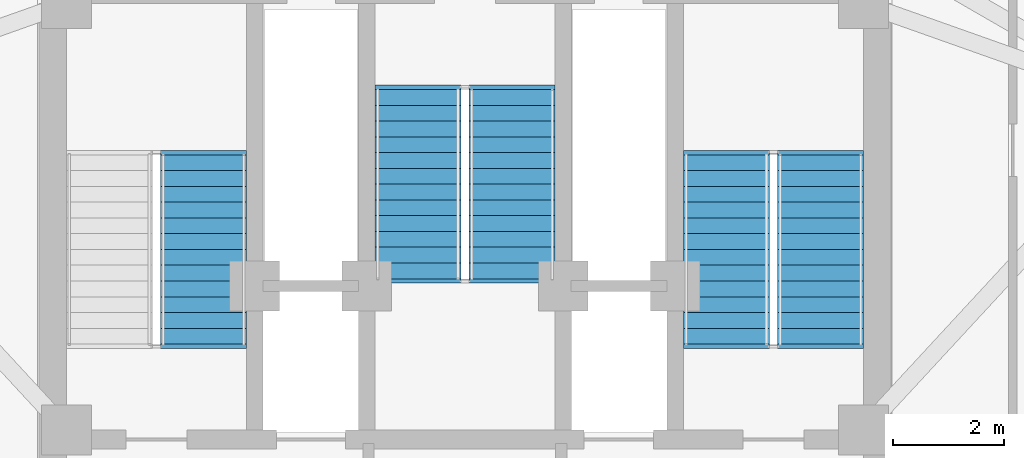
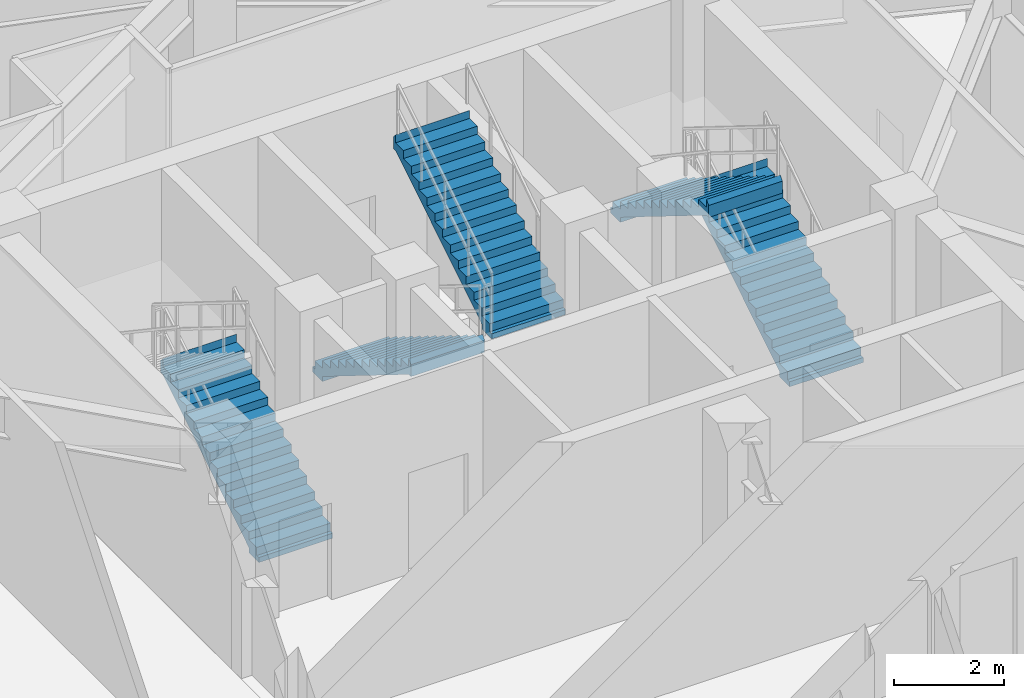
# One storey, part 12 of 15: 5 stair flights, 3 elements without a shape of their own.
"""IFC4 building model written with IfcOpenShell, lengths in metres."""

from ifc_helpers import new_model, si_unit, direction, frame, origin, place, context, subcontext, project, spatial, polyline, outline, extrude, material, type_object, element, aggregate, save


model = new_model("IFC4")

# Units and contexts
model_context = context("Model", 3, precision=1e-05, world=origin(), true_north=direction((0.0, 1.0)))
body_context = subcontext(model_context, "Body", "Model", "MODEL_VIEW")
ifc_project = project(units=[si_unit("LENGTHUNIT", "METRE"), si_unit("AREAUNIT", "SQUARE_METRE"), si_unit("VOLUMEUNIT", "CUBIC_METRE"), si_unit("PLANEANGLEUNIT", "RADIAN"), si_unit("MASSUNIT", "GRAM", prefix="KILO")], contexts=[model_context])

# Site, building, storey
site_placement = place(None, origin())
site = spatial("IfcSite", under=ifc_project, at=site_placement, CompositionType="ELEMENT")
building_placement = place(site_placement, origin())
building = spatial("IfcBuilding", under=site, at=building_placement, Name="Apsidion Concourse Tower", CompositionType="ELEMENT")
storey_placement = place(building_placement, frame((0.0, 0.0, 318.800048828125)))
storey = spatial("IfcBuildingStorey", under=building, at=storey_placement, Name="L75", CompositionType="ELEMENT", Elevation=318.800048828125)

# Stair, stair flight
ifc_material = material(Name="Precast concrete C40/50", Category="concrete")
stair_type = type_object("IfcStairType", Name="ST-DL-1550", PredefinedType="HALF_TURN_STAIR", material=ifc_material)
stair_1_placement = place(storey_placement, origin())
stair_1 = element("IfcStair", 1, at=stair_1_placement, inside=storey, type_object=stair_type, Name="L75 Protected Core Exit Stair ST1", PredefinedType="HALF_TURN_STAIR")
stair_flight_type = type_object("IfcStairFlightType", Name="SFL-RC-1550", PredefinedType="STRAIGHT", material=ifc_material)
stair_flight_1_placement = place(storey_placement, frame((-4.72509765625, 3.0, 0.0), z_axis=(0.0, 0.0, 1.0), x_axis=(0.0, 1.0, 0.0)))
stair_flight_1 = element("IfcStairFlight", 2, at=stair_flight_1_placement, type_object=stair_flight_type, Name="ST1 flight 1", NumberOfRisers=13, NumberOfTreads=12, PredefinedType="STRAIGHT", RiserHeight=0.176923077, TreadLength=0.285, context=body_context, shape_type="SweptSolid", body=[
    extrude(outline(polyline([(-0.080078125, -0.1123046875), (-0.080078125, 0.0), (0.0, 0.0), (0.0, 0.177001953125), (0.284912109375, 0.177001953125), (0.284912109375, 0.353759765625), (0.570068359375, 0.353759765625), (0.570068359375, 0.53076171875), (0.85498046875, 0.53076171875), (0.85498046875, 0.707763671875), (1.139892578125, 0.707763671875), (1.139892578125, 0.884521484375), (1.425048828125, 0.884521484375), (1.425048828125, 1.0615234375), (1.7099609375, 1.0615234375), (1.7099609375, 1.238525390625), (1.9951171875, 1.238525390625), (1.9951171875, 1.415283203125), (2.280029296875, 1.415283203125), (2.280029296875, 1.59228515625), (2.56494140625, 1.59228515625), (2.56494140625, 1.769287109375), (2.85009765625, 1.769287109375), (2.85009765625, 1.946044921875), (3.135009765625, 1.946044921875), (3.135009765625, 2.123046875), (3.419921875, 2.123046875), (3.419921875, 2.300048828125), (3.5, 2.21142578125), (3.5, 1.946533203125), (3.419921875, 1.946533203125), (0.2841796875, 0.0), (0.2841796875, -0.1123046875), (-0.080078125, -0.1123046875)])), frame((0.0, 0.77490234375, 0.0), z_axis=(0.0, -1.0, 0.0), x_axis=(1.0, 0.0, 0.0)), (0.0, 0.0, 1.0), 1.550048828125),
])
aggregate(stair_1, [stair_flight_1])

# Stair, stair flights
stair_2_placement = place(storey_placement, origin())
stair_2 = element("IfcStair", 3, at=stair_2_placement, inside=storey, type_object=stair_type, Name="L75 Protected Core Exit Stair ST2", PredefinedType="HALF_TURN_STAIR")
stair_flight_2_placement = place(storey_placement, frame((6.425048828125, 3.0, 0.0), z_axis=(0.0, 0.0, 1.0), x_axis=(0.0, 1.0, 0.0)))
stair_flight_2 = element("IfcStairFlight", 4, at=stair_flight_2_placement, type_object=stair_flight_type, Name="ST2 flight 1", NumberOfRisers=13, NumberOfTreads=12, PredefinedType="STRAIGHT", RiserHeight=0.176923077, TreadLength=0.285, context=body_context, shape_type="SweptSolid", body=[
    extrude(outline(polyline([(-0.080078125, -0.1123046875), (-0.080078125, 0.0), (0.0, 0.0), (0.0, 0.177001953125), (0.284912109375, 0.177001953125), (0.284912109375, 0.353759765625), (0.570068359375, 0.353759765625), (0.570068359375, 0.53076171875), (0.85498046875, 0.53076171875), (0.85498046875, 0.707763671875), (1.139892578125, 0.707763671875), (1.139892578125, 0.884521484375), (1.425048828125, 0.884521484375), (1.425048828125, 1.0615234375), (1.7099609375, 1.0615234375), (1.7099609375, 1.238525390625), (1.9951171875, 1.238525390625), (1.9951171875, 1.415283203125), (2.280029296875, 1.415283203125), (2.280029296875, 1.59228515625), (2.56494140625, 1.59228515625), (2.56494140625, 1.769287109375), (2.85009765625, 1.769287109375), (2.85009765625, 1.946044921875), (3.135009765625, 1.946044921875), (3.135009765625, 2.123046875), (3.419921875, 2.123046875), (3.419921875, 2.300048828125), (3.5, 2.21142578125), (3.5, 1.946533203125), (3.419921875, 1.946533203125), (0.2841796875, 0.0), (0.2841796875, -0.1123046875), (-0.080078125, -0.1123046875)])), frame((0.0, 0.77490234375, 0.0), z_axis=(0.0, -1.0, 0.0), x_axis=(1.0, 0.0, 0.0)), (0.0, 0.0, 1.0), 1.550048828125),
])
stair_flight_3_placement = place(storey_placement, frame((4.72509765625, 6.419921875, 2.300048828125), z_axis=(0.0, 0.0, 1.0), x_axis=(0.0, -1.0, 0.0)))
stair_flight_3 = element("IfcStairFlight", 5, at=stair_flight_3_placement, type_object=stair_flight_type, Name="ST2 flight 2", NumberOfRisers=13, NumberOfTreads=12, PredefinedType="STRAIGHT", RiserHeight=0.176923077, TreadLength=0.285, context=body_context, shape_type="SweptSolid", body=[
    extrude(outline(polyline([(-0.080078125, -0.1123046875), (-0.080078125, 0.0), (0.0, 0.0), (0.0, 0.177001953125), (0.284912109375, 0.177001953125), (0.284912109375, 0.353759765625), (0.570068359375, 0.353759765625), (0.570068359375, 0.53076171875), (0.85498046875, 0.53076171875), (0.85498046875, 0.707763671875), (1.139892578125, 0.707763671875), (1.139892578125, 0.884521484375), (1.425048828125, 0.884521484375), (1.425048828125, 1.0615234375), (1.7099609375, 1.0615234375), (1.7099609375, 1.238525390625), (1.9951171875, 1.238525390625), (1.9951171875, 1.415283203125), (2.280029296875, 1.415283203125), (2.280029296875, 1.59228515625), (2.56494140625, 1.59228515625), (2.56494140625, 1.769287109375), (2.85009765625, 1.769287109375), (2.85009765625, 1.946044921875), (3.135009765625, 1.946044921875), (3.135009765625, 2.123046875), (3.419921875, 2.123046875), (3.419921875, 2.300048828125), (3.5, 2.21142578125), (3.5, 1.946533203125), (3.419921875, 1.946533203125), (0.2841796875, 0.0), (0.2841796875, -0.1123046875), (-0.080078125, -0.1123046875)])), frame((0.0, 0.77490234375, 0.0), z_axis=(0.0, -1.0, 0.0), x_axis=(1.0, 0.0, 0.0)), (0.0, 0.0, 1.0), 1.550048828125),
])
aggregate(stair_2, [stair_flight_2, stair_flight_3])

stair_3_placement = place(storey_placement, origin())
stair_3 = element("IfcStair", 6, at=stair_3_placement, inside=storey, type_object=stair_type, Name="L75 Protected Core Exit Stair ST3", PredefinedType="HALF_TURN_STAIR")
stair_flight_4_placement = place(storey_placement, frame((-0.85009765625, 7.60009765625, 0.0), z_axis=(0.0, 0.0, 1.0), x_axis=(0.0, -1.0, 0.0)))
stair_flight_4 = element("IfcStairFlight", 7, at=stair_flight_4_placement, type_object=stair_flight_type, Name="ST3 flight 1", NumberOfRisers=13, NumberOfTreads=12, PredefinedType="STRAIGHT", RiserHeight=0.176923077, TreadLength=0.285, context=body_context, shape_type="SweptSolid", body=[
    extrude(outline(polyline([(-0.080078125, -0.1123046875), (-0.080078125, 0.0), (0.0, 0.0), (0.0, 0.177001953125), (0.284912109375, 0.177001953125), (0.284912109375, 0.353759765625), (0.570068359375, 0.353759765625), (0.570068359375, 0.53076171875), (0.85498046875, 0.53076171875), (0.85498046875, 0.707763671875), (1.139892578125, 0.707763671875), (1.139892578125, 0.884521484375), (1.425048828125, 0.884521484375), (1.425048828125, 1.0615234375), (1.7099609375, 1.0615234375), (1.7099609375, 1.238525390625), (1.9951171875, 1.238525390625), (1.9951171875, 1.415283203125), (2.280029296875, 1.415283203125), (2.280029296875, 1.59228515625), (2.56494140625, 1.59228515625), (2.56494140625, 1.769287109375), (2.85009765625, 1.769287109375), (2.85009765625, 1.946044921875), (3.135009765625, 1.946044921875), (3.135009765625, 2.123046875), (3.419921875, 2.123046875), (3.419921875, 2.300048828125), (3.5, 2.21142578125), (3.5, 1.946533203125), (3.419921875, 1.946533203125), (0.2841796875, 0.0), (0.2841796875, -0.1123046875), (-0.080078125, -0.1123046875)])), frame((0.0, 0.77490234375, 0.0), z_axis=(0.0, -1.0, 0.0), x_axis=(1.0, 0.0, 0.0)), (0.0, 0.0, 1.0), 1.550048828125),
])
stair_flight_5_placement = place(storey_placement, frame((0.85009765625, 4.179931640625, 2.300048828125), z_axis=(0.0, 0.0, 1.0), x_axis=(0.0, 1.0, 0.0)))
stair_flight_5 = element("IfcStairFlight", 8, at=stair_flight_5_placement, type_object=stair_flight_type, Name="ST3 flight 2", NumberOfRisers=13, NumberOfTreads=12, PredefinedType="STRAIGHT", RiserHeight=0.176923077, TreadLength=0.285, context=body_context, shape_type="SweptSolid", body=[
    extrude(outline(polyline([(-0.080078125, -0.1123046875), (-0.080078125, 0.0), (0.0, 0.0), (0.0, 0.177001953125), (0.284912109375, 0.177001953125), (0.284912109375, 0.353759765625), (0.570068359375, 0.353759765625), (0.570068359375, 0.53076171875), (0.85498046875, 0.53076171875), (0.85498046875, 0.707763671875), (1.139892578125, 0.707763671875), (1.139892578125, 0.884521484375), (1.425048828125, 0.884521484375), (1.425048828125, 1.0615234375), (1.7099609375, 1.0615234375), (1.7099609375, 1.238525390625), (1.9951171875, 1.238525390625), (1.9951171875, 1.415283203125), (2.280029296875, 1.415283203125), (2.280029296875, 1.59228515625), (2.56494140625, 1.59228515625), (2.56494140625, 1.769287109375), (2.85009765625, 1.769287109375), (2.85009765625, 1.946044921875), (3.135009765625, 1.946044921875), (3.135009765625, 2.123046875), (3.419921875, 2.123046875), (3.419921875, 2.300048828125), (3.5, 2.21142578125), (3.5, 1.946533203125), (3.419921875, 1.946533203125), (0.2841796875, 0.0), (0.2841796875, -0.1123046875), (-0.080078125, -0.1123046875)])), frame((0.0, 0.77490234375, 0.0), z_axis=(0.0, -1.0, 0.0), x_axis=(1.0, 0.0, 0.0)), (0.0, 0.0, 1.0), 1.550048828125),
])
aggregate(stair_3, [stair_flight_4, stair_flight_5])

save(model, "model.ifc")
